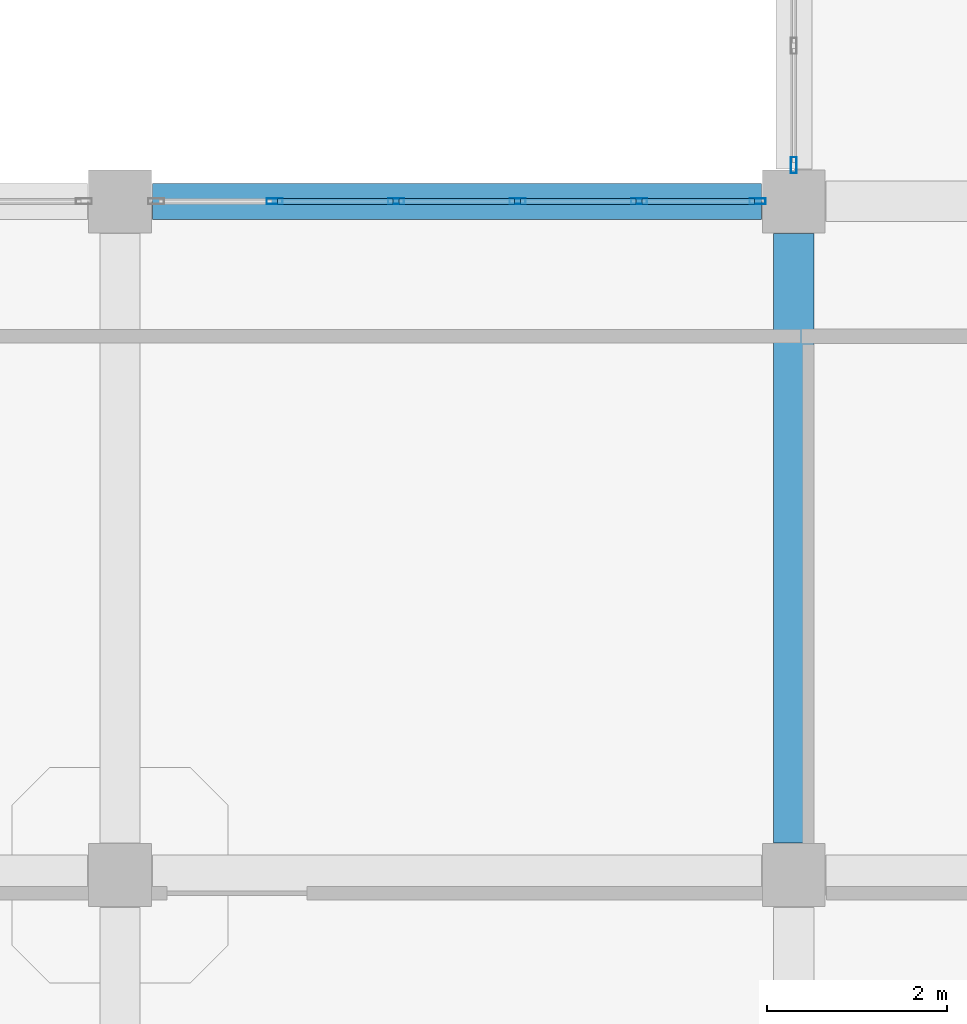
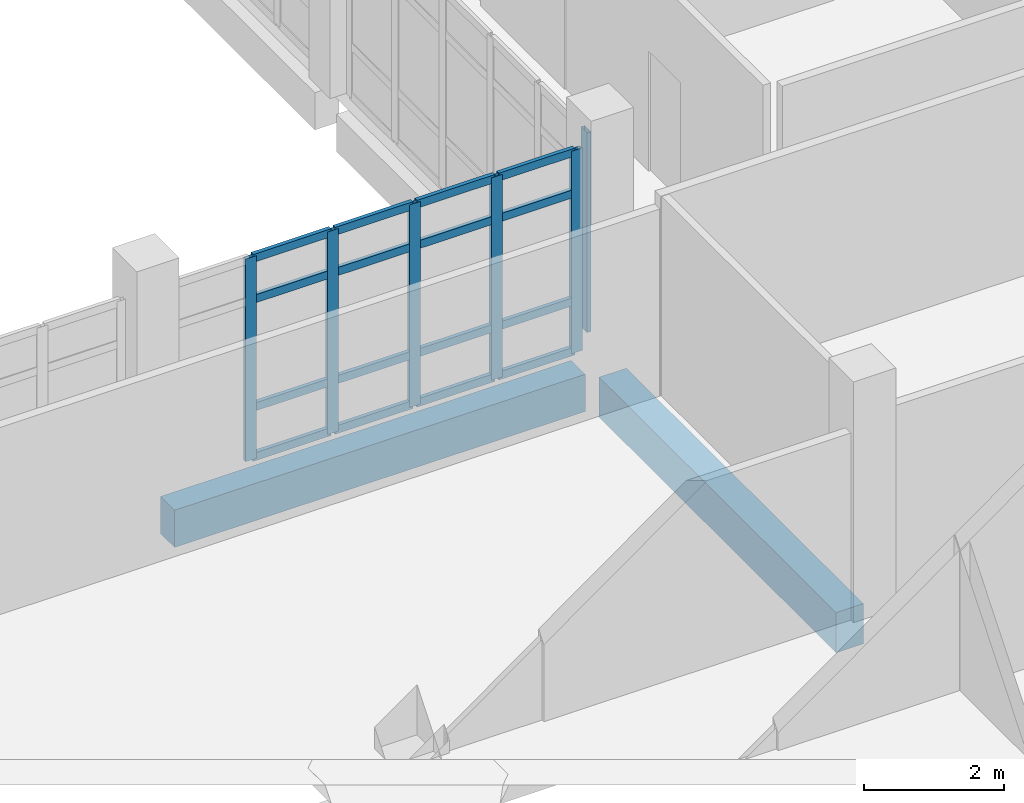
# One storey, part 21 of 164: 22 members, 2 beams, 2 elements without a shape of their own.
"""IFC4 building model written with IfcOpenShell, lengths in metres."""

from ifc_helpers import new_model, si_unit, direction, frame, origin, origin_2d, place, context, subcontext, project, spatial, rectangle, hollow_rectangle, extrude, material, layer, layer_set, material_profile, profile_set, type_object, element, aggregate, save


model = new_model("IFC4")

# Units and contexts
model_context = context("Model", 3, precision=1e-05, world=origin(), true_north=direction((0.0, 1.0)))
body_context = subcontext(model_context, "Body", "Model", "MODEL_VIEW")
ifc_project = project(units=[si_unit("LENGTHUNIT", "METRE"), si_unit("AREAUNIT", "SQUARE_METRE"), si_unit("VOLUMEUNIT", "CUBIC_METRE"), si_unit("PLANEANGLEUNIT", "RADIAN"), si_unit("MASSUNIT", "GRAM", prefix="KILO")], contexts=[model_context])

# Site, building, storey
site_placement = place(None, origin())
site = spatial("IfcSite", under=ifc_project, at=site_placement, CompositionType="ELEMENT")
building_placement = place(site_placement, origin())
building = spatial("IfcBuilding", under=site, at=building_placement, Name="Mawjan Specialist Oncology Clinic", CompositionType="ELEMENT")
storey_placement = place(building_placement, frame((0.0, 0.0, 5.0)))
storey = spatial("IfcBuildingStorey", under=building, at=storey_placement, Name="L01", CompositionType="ELEMENT", Elevation=5.0)

# Beam
ifc_material_1 = material(Name="Concrete C40/50", Category="concrete")
ifc_material_profile_1 = material_profile(ifc_material_1, rectangle(XDim=0.449951171875, YDim=0.699951171875, at=origin_2d()), Name="RC BM 450x700", Category="concrete")
ifc_profile_set_1 = profile_set([ifc_material_profile_1], Name="Concrete C40/50")
beam_type_1 = type_object("IfcBeamType", Name="BM-450x700", PredefinedType="BEAM", material=ifc_profile_set_1)
beam_1_placement = place(storey_placement, frame((30.0, 8.659912109375, -0.64990234375), z_axis=(0.0, 1.0, 0.0), x_axis=(-1.0, 0.0, 0.0)))
element("IfcBeam", 1, at=beam_1_placement, inside=storey, type_object=beam_type_1, Name="L01 Collector Beam BM-L01-0453", PredefinedType="BEAM", context=body_context, shape_type="SweptSolid", body=[
    extrude(rectangle(XDim=0.449951171875, YDim=0.699951171875, at=origin_2d()), origin(), (0.0, 0.0, 1.0), 6.780029296875),
])

# Curtain wall, member
ifc_material_2 = material(Name="Unitised spectrally selective aluminium curtain wall", Category="aluminium")
ifc_layer_1 = layer(ifc_material_2, 0.179931640625, Name="Unitised spectrally selective aluminium curtain wall", Category="aluminium")
ifc_layer_set_1 = layer_set([ifc_layer_1], Name="Unitised spectrally selective aluminium curtain wall")
curtain_wall_type_1 = type_object("IfcCurtainWallType", Name="CW-80", PredefinedType="NOTDEFINED", material=ifc_layer_set_1)
curtain_wall_1_placement = place(storey_placement, origin())
curtain_wall_1 = element("IfcCurtainWall", 2, at=curtain_wall_1_placement, inside=storey, type_object=curtain_wall_type_1, Name="L01 Unitised Curtain Wall CW-L01-159", PredefinedType="NOTDEFINED")
ifc_material_3 = material(Name="Thermally broken aluminium 6063-T6", Category="aluminium")
ifc_material_profile_2 = material_profile(ifc_material_3, hollow_rectangle(XDim=0.06494140625, YDim=0.179931640625, WallThickness=0.00390625, at=origin_2d()), Name="ALU MULLION 180x65x4", Category="aluminium")
ifc_profile_set_2 = profile_set([ifc_material_profile_2], Name="Thermally broken aluminium 6063-T6")
member_type_1 = type_object("IfcMemberType", Name="CW-M180", PredefinedType="MULLION", material=ifc_profile_set_2)
member_1_placement = place(storey_placement, frame((30.0, 16.202392578125, 0.0), z_axis=(0.0, 0.0, 1.0), x_axis=(-1.0, 0.0, 0.0)))
member_1 = element("IfcMember", 3, at=member_1_placement, type_object=member_type_1, Name="CW-80 mullion 1", PredefinedType="MULLION", context=body_context, shape_type="SweptSolid", body=[
    extrude(hollow_rectangle(XDim=0.06494140625, YDim=0.179931640625, WallThickness=0.00390625, at=origin_2d()), origin(), (0.0, 0.0, 1.0), 3.485107421875),
])
aggregate(curtain_wall_1, [member_1])

# Curtain wall, members
ifc_material_4 = material(Name="Unitised spectrally selective aluminium curtain wall", Category="aluminium")
ifc_layer_2 = layer(ifc_material_4, 0.179931640625, Name="Unitised spectrally selective aluminium curtain wall", Category="aluminium")
ifc_layer_set_2 = layer_set([ifc_layer_2], Name="Unitised spectrally selective aluminium curtain wall")
curtain_wall_type_2 = type_object("IfcCurtainWallType", Name="CW-73", PredefinedType="NOTDEFINED", material=ifc_layer_set_2)
curtain_wall_2_placement = place(storey_placement, origin())
curtain_wall_2 = element("IfcCurtainWall", 4, at=curtain_wall_2_placement, inside=storey, type_object=curtain_wall_type_2, Name="L01 Unitised Curtain Wall CW-L01-166", PredefinedType="NOTDEFINED")
member_2_placement = place(storey_placement, frame((24.221923828125, 15.800048828125, 0.0), z_axis=(0.0, 0.0, 1.0), x_axis=(0.0, 1.0, 0.0)))
member_2 = element("IfcMember", 5, at=member_2_placement, type_object=member_type_1, Name="CW-73 mullion 2", PredefinedType="MULLION", context=body_context, shape_type="SweptSolid", body=[
    extrude(hollow_rectangle(XDim=0.06494140625, YDim=0.179931640625, WallThickness=0.00390625, at=origin_2d()), origin(), (0.0, 0.0, 1.0), 3.534912109375),
])
member_3_placement = place(storey_placement, frame((25.573974609375, 15.800048828125, 0.0), z_axis=(0.0, 0.0, 1.0), x_axis=(0.0, 1.0, 0.0)))
member_3 = element("IfcMember", 6, at=member_3_placement, type_object=member_type_1, Name="CW-73 mullion 3", PredefinedType="MULLION", context=body_context, shape_type="SweptSolid", body=[
    extrude(hollow_rectangle(XDim=0.06494140625, YDim=0.179931640625, WallThickness=0.00390625, at=origin_2d()), origin(), (0.0, 0.0, 1.0), 3.534912109375),
])
member_4_placement = place(storey_placement, frame((26.926025390625, 15.800048828125, 0.0), z_axis=(0.0, 0.0, 1.0), x_axis=(0.0, 1.0, 0.0)))
member_4 = element("IfcMember", 7, at=member_4_placement, type_object=member_type_1, Name="CW-73 mullion 4", PredefinedType="MULLION", context=body_context, shape_type="SweptSolid", body=[
    extrude(hollow_rectangle(XDim=0.06494140625, YDim=0.179931640625, WallThickness=0.00390625, at=origin_2d()), origin(), (0.0, 0.0, 1.0), 3.534912109375),
])
member_5_placement = place(storey_placement, frame((28.278076171875, 15.800048828125, 0.0), z_axis=(0.0, 0.0, 1.0), x_axis=(0.0, 1.0, 0.0)))
member_5 = element("IfcMember", 8, at=member_5_placement, type_object=member_type_1, Name="CW-73 mullion 5", PredefinedType="MULLION", context=body_context, shape_type="SweptSolid", body=[
    extrude(hollow_rectangle(XDim=0.06494140625, YDim=0.179931640625, WallThickness=0.00390625, at=origin_2d()), origin(), (0.0, 0.0, 1.0), 3.534912109375),
])
member_6_placement = place(storey_placement, frame((29.597412109375, 15.800048828125, 0.0), z_axis=(0.0, 0.0, 1.0), x_axis=(0.0, 1.0, 0.0)))
member_6 = element("IfcMember", 9, at=member_6_placement, type_object=member_type_1, Name="CW-73 mullion 6", PredefinedType="MULLION", context=body_context, shape_type="SweptSolid", body=[
    extrude(hollow_rectangle(XDim=0.06494140625, YDim=0.179931640625, WallThickness=0.00390625, at=origin_2d()), origin(), (0.0, 0.0, 1.0), 3.534912109375),
])
ifc_material_5 = material(Name="Thermally broken aluminium 6063-T6", Category="aluminium")
ifc_material_profile_3 = material_profile(ifc_material_5, hollow_rectangle(XDim=0.06494140625, YDim=0.139892578125, WallThickness=0.00390625, at=origin_2d()), Name="ALU TRANSOM 140x65x4", Category="aluminium")
ifc_profile_set_3 = profile_set([ifc_material_profile_3], Name="Thermally broken aluminium 6063-T6")
member_type_2 = type_object("IfcMemberType", Name="CW-T140", PredefinedType="USERDEFINED", material=ifc_profile_set_3)
member_7_placement = place(storey_placement, frame((24.25439453125, 15.800048828125, 0.032470703125), z_axis=(1.0, 0.0, 0.0), x_axis=(0.0, 1.0, 0.0)))
member_7 = element("IfcMember", 10, at=member_7_placement, type_object=member_type_2, Name="CW-73 transom 2.1", ObjectType="TRANSOM", PredefinedType="USERDEFINED", context=body_context, shape_type="SweptSolid", body=[
    extrude(hollow_rectangle(XDim=0.06494140625, YDim=0.139892578125, WallThickness=0.00390625, at=origin_2d()), origin(), (0.0, 0.0, 1.0), 1.287109375),
])
member_8_placement = place(storey_placement, frame((24.25439453125, 15.800048828125, 0.89990234375), z_axis=(1.0, 0.0, 0.0), x_axis=(0.0, 1.0, 0.0)))
member_8 = element("IfcMember", 11, at=member_8_placement, type_object=member_type_2, Name="CW-73 transom 2.2", ObjectType="TRANSOM", PredefinedType="USERDEFINED", context=body_context, shape_type="SweptSolid", body=[
    extrude(hollow_rectangle(XDim=0.06494140625, YDim=0.139892578125, WallThickness=0.00390625, at=origin_2d()), origin(), (0.0, 0.0, 1.0), 1.287109375),
])
member_9_placement = place(storey_placement, frame((24.25439453125, 15.800048828125, 2.784912109375), z_axis=(1.0, 0.0, 0.0), x_axis=(0.0, 1.0, 0.0)))
member_9 = element("IfcMember", 12, at=member_9_placement, type_object=member_type_2, Name="CW-73 transom 2.3", ObjectType="TRANSOM", PredefinedType="USERDEFINED", context=body_context, shape_type="SweptSolid", body=[
    extrude(hollow_rectangle(XDim=0.06494140625, YDim=0.139892578125, WallThickness=0.00390625, at=origin_2d()), origin(), (0.0, 0.0, 1.0), 1.287109375),
])
member_10_placement = place(storey_placement, frame((24.25439453125, 15.800048828125, 3.50244140625), z_axis=(1.0, 0.0, 0.0), x_axis=(0.0, 1.0, 0.0)))
member_10 = element("IfcMember", 13, at=member_10_placement, type_object=member_type_2, Name="CW-73 transom 2.4", ObjectType="TRANSOM", PredefinedType="USERDEFINED", context=body_context, shape_type="SweptSolid", body=[
    extrude(hollow_rectangle(XDim=0.06494140625, YDim=0.139892578125, WallThickness=0.00390625, at=origin_2d()), origin(), (0.0, 0.0, 1.0), 1.287109375),
])
member_11_placement = place(storey_placement, frame((25.6064453125, 15.800048828125, 0.032470703125), z_axis=(1.0, 0.0, 0.0), x_axis=(0.0, 1.0, 0.0)))
member_11 = element("IfcMember", 14, at=member_11_placement, type_object=member_type_2, Name="CW-73 transom 3.1", ObjectType="TRANSOM", PredefinedType="USERDEFINED", context=body_context, shape_type="SweptSolid", body=[
    extrude(hollow_rectangle(XDim=0.06494140625, YDim=0.139892578125, WallThickness=0.00390625, at=origin_2d()), origin(), (0.0, 0.0, 1.0), 1.287109375),
])
member_12_placement = place(storey_placement, frame((25.6064453125, 15.800048828125, 0.89990234375), z_axis=(1.0, 0.0, 0.0), x_axis=(0.0, 1.0, 0.0)))
member_12 = element("IfcMember", 15, at=member_12_placement, type_object=member_type_2, Name="CW-73 transom 3.2", ObjectType="TRANSOM", PredefinedType="USERDEFINED", context=body_context, shape_type="SweptSolid", body=[
    extrude(hollow_rectangle(XDim=0.06494140625, YDim=0.139892578125, WallThickness=0.00390625, at=origin_2d()), origin(), (0.0, 0.0, 1.0), 1.287109375),
])
member_13_placement = place(storey_placement, frame((25.6064453125, 15.800048828125, 2.784912109375), z_axis=(1.0, 0.0, 0.0), x_axis=(0.0, 1.0, 0.0)))
member_13 = element("IfcMember", 16, at=member_13_placement, type_object=member_type_2, Name="CW-73 transom 3.3", ObjectType="TRANSOM", PredefinedType="USERDEFINED", context=body_context, shape_type="SweptSolid", body=[
    extrude(hollow_rectangle(XDim=0.06494140625, YDim=0.139892578125, WallThickness=0.00390625, at=origin_2d()), origin(), (0.0, 0.0, 1.0), 1.287109375),
])
member_14_placement = place(storey_placement, frame((25.6064453125, 15.800048828125, 3.50244140625), z_axis=(1.0, 0.0, 0.0), x_axis=(0.0, 1.0, 0.0)))
member_14 = element("IfcMember", 17, at=member_14_placement, type_object=member_type_2, Name="CW-73 transom 3.4", ObjectType="TRANSOM", PredefinedType="USERDEFINED", context=body_context, shape_type="SweptSolid", body=[
    extrude(hollow_rectangle(XDim=0.06494140625, YDim=0.139892578125, WallThickness=0.00390625, at=origin_2d()), origin(), (0.0, 0.0, 1.0), 1.287109375),
])
member_15_placement = place(storey_placement, frame((26.95849609375, 15.800048828125, 0.032470703125), z_axis=(1.0, 0.0, 0.0), x_axis=(0.0, 1.0, 0.0)))
member_15 = element("IfcMember", 18, at=member_15_placement, type_object=member_type_2, Name="CW-73 transom 4.1", ObjectType="TRANSOM", PredefinedType="USERDEFINED", context=body_context, shape_type="SweptSolid", body=[
    extrude(hollow_rectangle(XDim=0.06494140625, YDim=0.139892578125, WallThickness=0.00390625, at=origin_2d()), origin(), (0.0, 0.0, 1.0), 1.287109375),
])
member_16_placement = place(storey_placement, frame((26.95849609375, 15.800048828125, 0.89990234375), z_axis=(1.0, 0.0, 0.0), x_axis=(0.0, 1.0, 0.0)))
member_16 = element("IfcMember", 19, at=member_16_placement, type_object=member_type_2, Name="CW-73 transom 4.2", ObjectType="TRANSOM", PredefinedType="USERDEFINED", context=body_context, shape_type="SweptSolid", body=[
    extrude(hollow_rectangle(XDim=0.06494140625, YDim=0.139892578125, WallThickness=0.00390625, at=origin_2d()), origin(), (0.0, 0.0, 1.0), 1.287109375),
])
member_17_placement = place(storey_placement, frame((26.95849609375, 15.800048828125, 2.784912109375), z_axis=(1.0, 0.0, 0.0), x_axis=(0.0, 1.0, 0.0)))
member_17 = element("IfcMember", 20, at=member_17_placement, type_object=member_type_2, Name="CW-73 transom 4.3", ObjectType="TRANSOM", PredefinedType="USERDEFINED", context=body_context, shape_type="SweptSolid", body=[
    extrude(hollow_rectangle(XDim=0.06494140625, YDim=0.139892578125, WallThickness=0.00390625, at=origin_2d()), origin(), (0.0, 0.0, 1.0), 1.287109375),
])
member_18_placement = place(storey_placement, frame((26.95849609375, 15.800048828125, 3.50244140625), z_axis=(1.0, 0.0, 0.0), x_axis=(0.0, 1.0, 0.0)))
member_18 = element("IfcMember", 21, at=member_18_placement, type_object=member_type_2, Name="CW-73 transom 4.4", ObjectType="TRANSOM", PredefinedType="USERDEFINED", context=body_context, shape_type="SweptSolid", body=[
    extrude(hollow_rectangle(XDim=0.06494140625, YDim=0.139892578125, WallThickness=0.00390625, at=origin_2d()), origin(), (0.0, 0.0, 1.0), 1.287109375),
])
member_19_placement = place(storey_placement, frame((28.310546875, 15.800048828125, 0.032470703125), z_axis=(1.0, 0.0, 0.0), x_axis=(0.0, 1.0, 0.0)))
member_19 = element("IfcMember", 22, at=member_19_placement, type_object=member_type_2, Name="CW-73 transom 5.1", ObjectType="TRANSOM", PredefinedType="USERDEFINED", context=body_context, shape_type="SweptSolid", body=[
    extrude(hollow_rectangle(XDim=0.06494140625, YDim=0.139892578125, WallThickness=0.00390625, at=origin_2d()), origin(), (0.0, 0.0, 1.0), 1.25439453125),
])
member_20_placement = place(storey_placement, frame((28.310546875, 15.800048828125, 0.89990234375), z_axis=(1.0, 0.0, 0.0), x_axis=(0.0, 1.0, 0.0)))
member_20 = element("IfcMember", 23, at=member_20_placement, type_object=member_type_2, Name="CW-73 transom 5.2", ObjectType="TRANSOM", PredefinedType="USERDEFINED", context=body_context, shape_type="SweptSolid", body=[
    extrude(hollow_rectangle(XDim=0.06494140625, YDim=0.139892578125, WallThickness=0.00390625, at=origin_2d()), origin(), (0.0, 0.0, 1.0), 1.25439453125),
])
member_21_placement = place(storey_placement, frame((28.310546875, 15.800048828125, 2.784912109375), z_axis=(1.0, 0.0, 0.0), x_axis=(0.0, 1.0, 0.0)))
member_21 = element("IfcMember", 24, at=member_21_placement, type_object=member_type_2, Name="CW-73 transom 5.3", ObjectType="TRANSOM", PredefinedType="USERDEFINED", context=body_context, shape_type="SweptSolid", body=[
    extrude(hollow_rectangle(XDim=0.06494140625, YDim=0.139892578125, WallThickness=0.00390625, at=origin_2d()), origin(), (0.0, 0.0, 1.0), 1.25439453125),
])
member_22_placement = place(storey_placement, frame((28.310546875, 15.800048828125, 3.50244140625), z_axis=(1.0, 0.0, 0.0), x_axis=(0.0, 1.0, 0.0)))
member_22 = element("IfcMember", 25, at=member_22_placement, type_object=member_type_2, Name="CW-73 transom 5.4", ObjectType="TRANSOM", PredefinedType="USERDEFINED", context=body_context, shape_type="SweptSolid", body=[
    extrude(hollow_rectangle(XDim=0.06494140625, YDim=0.139892578125, WallThickness=0.00390625, at=origin_2d()), origin(), (0.0, 0.0, 1.0), 1.25439453125),
])
aggregate(curtain_wall_2, [member_2, member_3, member_4, member_5, member_6, member_7, member_8, member_9, member_10, member_11, member_12, member_13, member_14, member_15, member_16, member_17, member_18, member_19, member_20, member_21, member_22])

# Beam
ifc_material_6 = material(Name="Concrete C45/55", Category="concrete")
ifc_material_profile_4 = material_profile(ifc_material_6, rectangle(XDim=0.39990234375, YDim=0.64990234375, at=origin_2d()), Name="RC BM 400x650", Category="concrete")
ifc_profile_set_4 = profile_set([ifc_material_profile_4], Name="Concrete C45/55")
beam_type_2 = type_object("IfcBeamType", Name="SP-400x650", PredefinedType="SPANDREL", material=ifc_profile_set_4)
beam_2_placement = place(storey_placement, frame((22.860107421875, 15.800048828125, -0.625), z_axis=(1.0, 0.0, 0.0), x_axis=(0.0, 1.0, 0.0)))
element("IfcBeam", 26, at=beam_2_placement, inside=storey, type_object=beam_type_2, Name="L01 Spandrel Beam BM-L01-0240", PredefinedType="SPANDREL", context=body_context, shape_type="SweptSolid", body=[
    extrude(rectangle(XDim=0.39990234375, YDim=0.64990234375, at=origin_2d()), origin(), (0.0, 0.0, 1.0), 6.77978515625),
])

save(model, "model.ifc")
